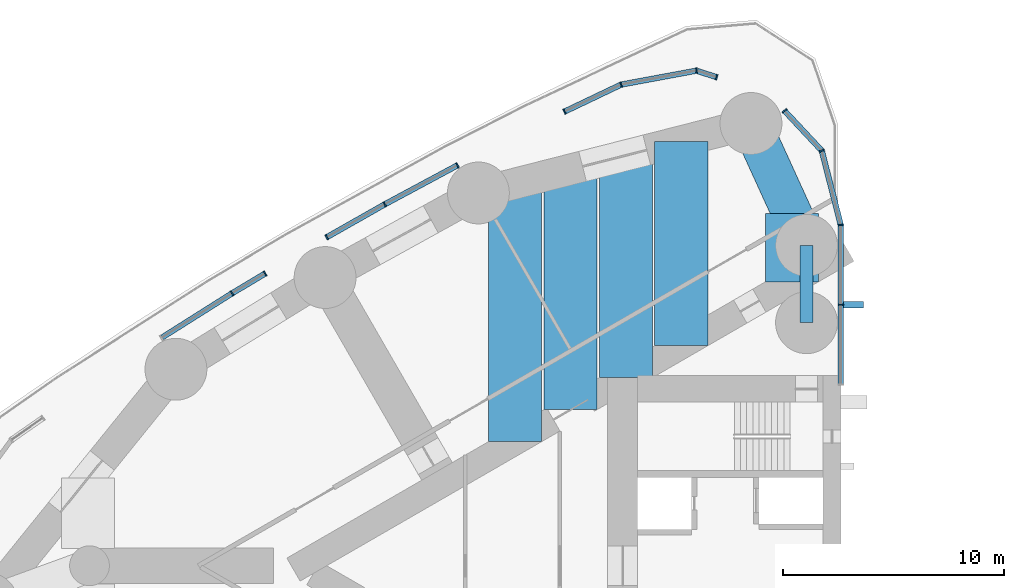
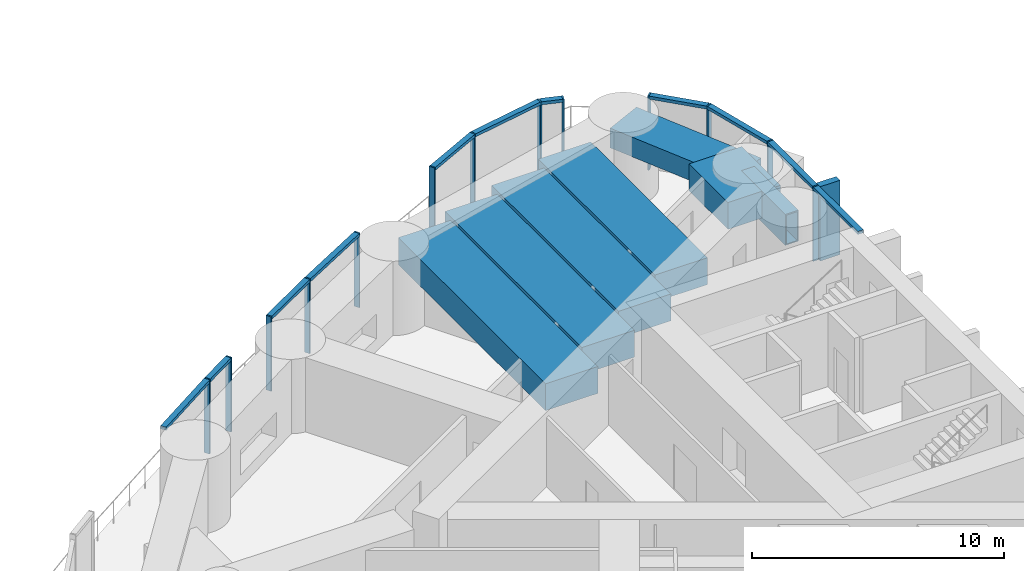
# One storey, part 5 of 17: 25 members, 7 beams, 4 elements without a shape of their own.
"""IFC4 building model written with IfcOpenShell, lengths in metres."""

from ifc_helpers import new_model, si_unit, direction, frame, origin, origin_2d, place, context, subcontext, project, spatial, rectangle, hollow_rectangle, extrude, material, material_profile, profile_set, type_object, element, aggregate, save


model = new_model("IFC4")

# Units and contexts
model_context = context("Model", 3, precision=1e-05, world=origin(), true_north=direction((0.0, 1.0)))
body_context = subcontext(model_context, "Body", "Model", "MODEL_VIEW")
ifc_project = project(units=[si_unit("LENGTHUNIT", "METRE"), si_unit("AREAUNIT", "SQUARE_METRE"), si_unit("VOLUMEUNIT", "CUBIC_METRE"), si_unit("PLANEANGLEUNIT", "RADIAN"), si_unit("MASSUNIT", "GRAM", prefix="KILO")], contexts=[model_context])

# Site, building, storey
site_placement = place(None, origin())
site = spatial("IfcSite", under=ifc_project, at=site_placement, CompositionType="ELEMENT")
building_placement = place(site_placement, origin())
building = spatial("IfcBuilding", under=site, at=building_placement, Name="Lancet Gate Hotel", CompositionType="ELEMENT")
storey_placement = place(building_placement, frame((0.0, 0.0, 152.699951171875)))
storey = spatial("IfcBuildingStorey", under=building, at=storey_placement, Name="L40", CompositionType="ELEMENT", Elevation=152.699951171875)

# Curtain wall, members
ifc_material_1 = material(Name="Aluminium curtain wall", Category="aluminium")
curtain_wall_type = type_object("IfcCurtainWallType", Name="Tower unitised curtain wall", PredefinedType="USERDEFINED", material=ifc_material_1)
curtain_wall_1_placement = place(storey_placement, origin())
curtain_wall_1 = element("IfcCurtainWall", 1, at=curtain_wall_1_placement, inside=storey, type_object=curtain_wall_type, Name="T1 L40 curtain wall 1", ObjectType="UNITISED CURTAIN WALL", PredefinedType="USERDEFINED")
ifc_material_2 = material(Name="Aluminium mullion", Category="aluminium")
ifc_material_profile_1 = material_profile(ifc_material_2, rectangle(XDim=0.06494140625, YDim=0.25, at=origin_2d()), Name="MULLION 65x250")
ifc_profile_set_1 = profile_set([ifc_material_profile_1], Name="Aluminium mullion")
member_type_1 = type_object("IfcMemberType", Name="Aluminium mullion 65x250", PredefinedType="MULLION", material=ifc_profile_set_1)
member_1_placement = place(storey_placement, frame((-27.5, 11.811767578125, 0.0), z_axis=(0.0, 0.0, 1.0), x_axis=(0.0, 1.0, 0.0)))
member_1 = element("IfcMember", 2, at=member_1_placement, type_object=member_type_1, Name="T1 L40 curtain wall 1 mullion 2", PredefinedType="MULLION", context=body_context, shape_type="SweptSolid", body=[
    extrude(rectangle(XDim=0.06494140625, YDim=0.25, at=origin_2d()), origin(), (0.0, 0.0, 1.0), 3.60009765625),
])
member_2_placement = place(storey_placement, frame((-27.5, 15.42333984375, 0.0), z_axis=(0.0, 0.0, 1.0), x_axis=(-0.122467472845, 0.992472527627, 0.0)))
member_2 = element("IfcMember", 3, at=member_2_placement, type_object=member_type_1, Name="T1 L40 curtain wall 1 mullion 3", PredefinedType="MULLION", context=body_context, shape_type="SweptSolid", body=[
    extrude(rectangle(XDim=0.06494140625, YDim=0.25, at=origin_2d()), origin(), (0.0, 0.0, 1.0), 3.60009765625),
])
member_3_placement = place(storey_placement, frame((-28.360595703125, 18.7861328125, 0.0), z_axis=(0.0, 0.0, 1.0), x_axis=(-0.442119345502, 0.896956233231, 0.0)))
member_3 = element("IfcMember", 4, at=member_3_placement, type_object=member_type_1, Name="T1 L40 curtain wall 1 mullion 4", PredefinedType="MULLION", context=body_context, shape_type="SweptSolid", body=[
    extrude(rectangle(XDim=0.06494140625, YDim=0.25, at=origin_2d()), origin(), (0.0, 0.0, 1.0), 3.60009765625),
])
member_4_placement = place(storey_placement, frame((-30.046630859375, 20.590087890625, 0.0), z_axis=(0.0, 0.0, 1.0), x_axis=(-0.682844962172, 0.730563315282, 0.0)))
member_4 = element("IfcMember", 5, at=member_4_placement, type_object=member_type_1, Name="T1 L40 curtain wall 1 mullion 5", PredefinedType="MULLION", context=body_context, shape_type="SweptSolid", body=[
    extrude(rectangle(XDim=0.06494140625, YDim=0.25, at=origin_2d()), origin(), (0.0, 0.0, 1.0), 3.60009765625),
])

curtain_wall_2_placement = place(storey_placement, origin())
curtain_wall_2 = element("IfcCurtainWall", 6, at=curtain_wall_2_placement, inside=storey, type_object=curtain_wall_type, Name="T1 L40 curtain wall 2", ObjectType="UNITISED CURTAIN WALL", PredefinedType="USERDEFINED")
member_5_placement = place(storey_placement, frame((-33.1220703125, 22.109130859375, 0.0), z_axis=(0.0, 0.0, 1.0), x_axis=(-0.949848055084, 0.312711803827, 0.0)))
member_5 = element("IfcMember", 7, at=member_5_placement, type_object=member_type_1, Name="T1 L40 curtain wall 2 mullion 1", PredefinedType="MULLION", context=body_context, shape_type="SweptSolid", body=[
    extrude(rectangle(XDim=0.06494140625, YDim=0.25, at=origin_2d()), origin(), (0.0, 0.0, 1.0), 3.60009765625),
])
member_6_placement = place(storey_placement, frame((-34.02783203125, 22.407470703125, 0.0), z_axis=(0.0, 0.0, 1.0), x_axis=(-0.997028673904, -0.077031314503, 0.0)))
member_6 = element("IfcMember", 8, at=member_6_placement, type_object=member_type_1, Name="T1 L40 curtain wall 2 mullion 2", PredefinedType="MULLION", context=body_context, shape_type="SweptSolid", body=[
    extrude(rectangle(XDim=0.06494140625, YDim=0.25, at=origin_2d()), origin(), (0.0, 0.0, 1.0), 3.60009765625),
])
member_7_placement = place(storey_placement, frame((-37.44091796875, 21.775634765625, 0.0), z_axis=(0.0, 0.0, 1.0), x_axis=(-0.955017768049, -0.296548584064, 0.0)))
member_7 = element("IfcMember", 9, at=member_7_placement, type_object=member_type_1, Name="T1 L40 curtain wall 2 mullion 3", PredefinedType="MULLION", context=body_context, shape_type="SweptSolid", body=[
    extrude(rectangle(XDim=0.06494140625, YDim=0.25, at=origin_2d()), origin(), (0.0, 0.0, 1.0), 3.60009765625),
])
member_8_placement = place(storey_placement, frame((-40.00634765625, 20.551025390625, 0.0), z_axis=(0.0, 0.0, 1.0), x_axis=(-0.902453530018, -0.430787216799, 0.0)))
member_8 = element("IfcMember", 10, at=member_8_placement, type_object=member_type_1, Name="T1 L40 curtain wall 2 mullion 4", PredefinedType="MULLION", context=body_context, shape_type="SweptSolid", body=[
    extrude(rectangle(XDim=0.06494140625, YDim=0.25, at=origin_2d()), origin(), (0.0, 0.0, 1.0), 3.60009765625),
])

curtain_wall_3_placement = place(storey_placement, origin())
curtain_wall_3 = element("IfcCurtainWall", 11, at=curtain_wall_3_placement, inside=storey, type_object=curtain_wall_type, Name="T1 L40 curtain wall 3", ObjectType="UNITISED CURTAIN WALL", PredefinedType="USERDEFINED")
member_9_placement = place(storey_placement, frame((-44.849609375, 18.12109375, 0.0), z_axis=(0.0, 0.0, 1.0), x_axis=(-0.881195096384, -0.472752791751, 0.0)))
member_9 = element("IfcMember", 12, at=member_9_placement, type_object=member_type_1, Name="T1 L40 curtain wall 3 mullion 1", PredefinedType="MULLION", context=body_context, shape_type="SweptSolid", body=[
    extrude(rectangle(XDim=0.06494140625, YDim=0.25, at=origin_2d()), origin(), (0.0, 0.0, 1.0), 3.60009765625),
])
member_10_placement = place(storey_placement, frame((-48.140869140625, 16.355224609375, 0.0), z_axis=(0.0, 0.0, 1.0), x_axis=(-0.87617871253, -0.481986372949, 0.0)))
member_10 = element("IfcMember", 13, at=member_10_placement, type_object=member_type_1, Name="T1 L40 curtain wall 3 mullion 2", PredefinedType="MULLION", context=body_context, shape_type="SweptSolid", body=[
    extrude(rectangle(XDim=0.06494140625, YDim=0.25, at=origin_2d()), origin(), (0.0, 0.0, 1.0), 3.60009765625),
])
member_11_placement = place(storey_placement, frame((-50.76416015625, 14.867431640625, 0.0), z_axis=(0.0, 0.0, 1.0), x_axis=(-0.869831477496, -0.493348964484, 0.0)))
member_11 = element("IfcMember", 14, at=member_11_placement, type_object=member_type_1, Name="T1 L40 curtain wall 3 mullion 3", PredefinedType="MULLION", context=body_context, shape_type="SweptSolid", body=[
    extrude(rectangle(XDim=0.06494140625, YDim=0.25, at=origin_2d()), origin(), (0.0, 0.0, 1.0), 3.60009765625),
])

curtain_wall_4_placement = place(storey_placement, origin())
curtain_wall_4 = element("IfcCurtainWall", 15, at=curtain_wall_4_placement, inside=storey, type_object=curtain_wall_type, Name="T1 L40 curtain wall 4", ObjectType="UNITISED CURTAIN WALL", PredefinedType="USERDEFINED")
member_12_placement = place(storey_placement, frame((-53.555419921875, 13.223388671875, 0.0), z_axis=(0.0, 0.0, 1.0), x_axis=(-0.857986551132, -0.51367215038, 0.0)))
member_12 = element("IfcMember", 16, at=member_12_placement, type_object=member_type_1, Name="T1 L40 curtain wall 4 mullion 1", PredefinedType="MULLION", context=body_context, shape_type="SweptSolid", body=[
    extrude(rectangle(XDim=0.06494140625, YDim=0.25, at=origin_2d()), origin(), (0.0, 0.0, 1.0), 3.60009765625),
])
member_13_placement = place(storey_placement, frame((-55.05029296875, 12.328369140625, 0.0), z_axis=(0.0, 0.0, 1.0), x_axis=(-0.849606396303, -0.527417264945, 0.0)))
member_13 = element("IfcMember", 17, at=member_13_placement, type_object=member_type_1, Name="T1 L40 curtain wall 4 mullion 2", PredefinedType="MULLION", context=body_context, shape_type="SweptSolid", body=[
    extrude(rectangle(XDim=0.06494140625, YDim=0.25, at=origin_2d()), origin(), (0.0, 0.0, 1.0), 3.60009765625),
])

# Member
ifc_material_3 = material(Name="Aluminium transom", Category="aluminium")
ifc_material_profile_2 = material_profile(ifc_material_3, rectangle(XDim=0.25, YDim=0.14990234375, at=origin_2d()), Name="TRANSOM 250x150")
ifc_profile_set_2 = profile_set([ifc_material_profile_2], Name="Aluminium transom")
member_type_2 = type_object("IfcMemberType", Name="Aluminium transom 250x150", PredefinedType="USERDEFINED", material=ifc_profile_set_2)
member_14_placement = place(storey_placement, frame((-27.5, 8.232421875, 3.525146484375), z_axis=(0.0, 1.0, 0.0), x_axis=(-1.0, 0.0, 0.0)))
member_14 = element("IfcMember", 18, at=member_14_placement, type_object=member_type_2, Name="T1 L40 curtain wall 1 transom 1", ObjectType="TRANSOM", PredefinedType="USERDEFINED", context=body_context, shape_type="SweptSolid", body=[
    extrude(rectangle(XDim=0.25, YDim=0.14990234375, at=origin_2d()), origin(), (0.0, 0.0, 1.0), 3.546875),
])

member_15_placement = place(storey_placement, frame((-27.5, 11.84423828125, 3.525146484375), z_axis=(0.0, 1.0, 0.0), x_axis=(-1.0, 0.0, 0.0)))
member_15 = element("IfcMember", 19, at=member_15_placement, type_object=member_type_2, Name="T1 L40 curtain wall 1 transom 2", ObjectType="TRANSOM", PredefinedType="USERDEFINED", context=body_context, shape_type="SweptSolid", body=[
    extrude(rectangle(XDim=0.25, YDim=0.14990234375, at=origin_2d()), origin(), (0.0, 0.0, 1.0), 3.546630859375),
])

member_16_placement = place(storey_placement, frame((-27.508056640625, 15.454833984375, 3.525146484375), z_axis=(-0.247928683912, 0.968778286139, 0.0), x_axis=(-0.968778286139, -0.247928683912, 0.0)))
member_16 = element("IfcMember", 20, at=member_16_placement, type_object=member_type_2, Name="T1 L40 curtain wall 1 transom 3", ObjectType="TRANSOM", PredefinedType="USERDEFINED", context=body_context, shape_type="SweptSolid", body=[
    extrude(rectangle(XDim=0.25, YDim=0.14990234375, at=origin_2d()), origin(), (0.0, 0.0, 1.0), 3.40625),
])

member_17_placement = place(storey_placement, frame((-28.3828125, 18.809814453125, 3.525146484375), z_axis=(-0.682839106594, 0.730568788346, 0.0), x_axis=(-0.730568788346, -0.682839106594, 0.0)))
member_17 = element("IfcMember", 21, at=member_17_placement, type_object=member_type_2, Name="T1 L40 curtain wall 1 transom 4", ObjectType="TRANSOM", PredefinedType="USERDEFINED", context=body_context, shape_type="SweptSolid", body=[
    extrude(rectangle(XDim=0.25, YDim=0.14990234375, at=origin_2d()), origin(), (0.0, 0.0, 1.0), 2.404052734375),
])

member_18_placement = place(storey_placement, frame((-33.153076171875, 22.119384765625, 3.525146484375), z_axis=(-0.949858160643, 0.312681106975, 0.0), x_axis=(-0.312681106975, -0.949858160643, 0.0)))
member_18 = element("IfcMember", 22, at=member_18_placement, type_object=member_type_2, Name="T1 L40 curtain wall 2 transom 1", ObjectType="TRANSOM", PredefinedType="USERDEFINED", context=body_context, shape_type="SweptSolid", body=[
    extrude(rectangle(XDim=0.25, YDim=0.14990234375, at=origin_2d()), origin(), (0.0, 0.0, 1.0), 0.888427734375),
])

member_19_placement = place(storey_placement, frame((-34.059814453125, 22.401611328125, 3.525146484375), z_axis=(-0.983286757871, -0.182063592724, 0.0), x_axis=(0.182063592724, -0.983286757871, 0.0)))
member_19 = element("IfcMember", 23, at=member_19_placement, type_object=member_type_2, Name="T1 L40 curtain wall 2 transom 2", ObjectType="TRANSOM", PredefinedType="USERDEFINED", context=body_context, shape_type="SweptSolid", body=[
    extrude(rectangle(XDim=0.25, YDim=0.14990234375, at=origin_2d()), origin(), (0.0, 0.0, 1.0), 3.406005859375),
])

member_20_placement = place(storey_placement, frame((-37.47021484375, 21.761474609375, 3.525146484375), z_axis=(-0.902452303334, -0.430789786563, 0.0), x_axis=(0.430789786563, -0.902452303334, 0.0)))
member_20 = element("IfcMember", 24, at=member_20_placement, type_object=member_type_2, Name="T1 L40 curtain wall 2 transom 3", ObjectType="TRANSOM", PredefinedType="USERDEFINED", context=body_context, shape_type="SweptSolid", body=[
    extrude(rectangle(XDim=0.25, YDim=0.14990234375, at=origin_2d()), origin(), (0.0, 0.0, 1.0), 2.777587890625),
])

aggregate(curtain_wall_2, [member_5, member_6, member_7, member_8, member_18, member_19, member_20])

member_21_placement = place(storey_placement, frame((-44.87841796875, 18.105712890625, 3.525146484375), z_axis=(-0.881177167367, -0.472786209307, 0.0), x_axis=(0.472786209307, -0.881177167367, 0.0)))
member_21 = element("IfcMember", 25, at=member_21_placement, type_object=member_type_2, Name="T1 L40 curtain wall 3 transom 1", ObjectType="TRANSOM", PredefinedType="USERDEFINED", context=body_context, shape_type="SweptSolid", body=[
    extrude(rectangle(XDim=0.25, YDim=0.14990234375, at=origin_2d()), origin(), (0.0, 0.0, 1.0), 3.669921875),
])

member_22_placement = place(storey_placement, frame((-48.169189453125, 16.33935546875, 3.525146484375), z_axis=(-0.869822193696, -0.493365332542, 0.0), x_axis=(0.493365332542, -0.869822193696, 0.0)))
member_22 = element("IfcMember", 26, at=member_22_placement, type_object=member_type_2, Name="T1 L40 curtain wall 3 transom 2", ObjectType="TRANSOM", PredefinedType="USERDEFINED", context=body_context, shape_type="SweptSolid", body=[
    extrude(rectangle(XDim=0.25, YDim=0.14990234375, at=origin_2d()), origin(), (0.0, 0.0, 1.0), 2.95068359375),
])

aggregate(curtain_wall_3, [member_9, member_10, member_11, member_21, member_22])

member_23_placement = place(storey_placement, frame((-53.583251953125, 13.206787109375, 3.525146484375), z_axis=(-0.857942051771, -0.513746470356, 0.0), x_axis=(0.513746470356, -0.857942051771, 0.0)))
member_23 = element("IfcMember", 27, at=member_23_placement, type_object=member_type_2, Name="T1 L40 curtain wall 4 transom 1", ObjectType="TRANSOM", PredefinedType="USERDEFINED", context=body_context, shape_type="SweptSolid", body=[
    extrude(rectangle(XDim=0.25, YDim=0.14990234375, at=origin_2d()), origin(), (0.0, 0.0, 1.0), 1.677490234375),
])

member_24_placement = place(storey_placement, frame((-55.077880859375, 12.31103515625, 3.525146484375), z_axis=(-0.845659168791, -0.533723308691, 0.0), x_axis=(0.533723308691, -0.845659168791, 0.0)))
member_24 = element("IfcMember", 28, at=member_24_placement, type_object=member_type_2, Name="T1 L40 curtain wall 4 transom 2", ObjectType="TRANSOM", PredefinedType="USERDEFINED", context=body_context, shape_type="SweptSolid", body=[
    extrude(rectangle(XDim=0.25, YDim=0.14990234375, at=origin_2d()), origin(), (0.0, 0.0, 1.0), 3.712890625),
])

aggregate(curtain_wall_4, [member_12, member_13, member_23, member_24])

# Beam
ifc_material_4 = material(Name="Concrete C50/60", Category="concrete")
ifc_material_profile_3 = material_profile(ifc_material_4, rectangle(XDim=1.800048828125, YDim=0.949951171875, at=origin_2d()), Name="RC 1800x950")
ifc_profile_set_3 = profile_set([ifc_material_profile_3], Name="Concrete C50/60")
beam_type_1 = type_object("IfcBeamType", Name="Edge beam RC 1800x950", PredefinedType="SPANDREL", material=ifc_profile_set_3)
beam_1_placement = place(storey_placement, frame((-31.5654296875, 20.015869140625, 2.875), z_axis=(0.414919206993, -0.909858259109, 0.0), x_axis=(0.909858259109, 0.414919206993, 0.0)))
element("IfcBeam", 29, at=beam_1_placement, inside=storey, type_object=beam_type_1, Name="T1 edge beam EB1 L40", PredefinedType="SPANDREL", context=body_context, shape_type="SweptSolid", body=[
    extrude(rectangle(XDim=1.800048828125, YDim=0.949951171875, at=origin_2d()), origin(), (0.0, 0.0, 1.0), 6.062255859375),
])

# Member
ifc_material_5 = material(Name="Precast concrete C50/60", Category="concrete")
ifc_material_profile_4 = material_profile(ifc_material_5, rectangle(XDim=0.300048828125, YDim=0.89990234375, at=origin_2d()), Name="FIN 300x900")
ifc_profile_set_4 = profile_set([ifc_material_profile_4], Name="Precast concrete C50/60")
member_type_3 = type_object("IfcMemberType", Name="Exposed concrete fin 300x900", PredefinedType="USERDEFINED", material=ifc_profile_set_4)
member_25_placement = place(storey_placement, frame((-26.925048828125, 11.811767578125, 0.0), z_axis=(0.0, 0.0, 1.0), x_axis=(0.0, 1.0, 0.0)))
member_25 = element("IfcMember", 30, at=member_25_placement, type_object=member_type_3, Name="T1 L40 curtain wall 1 fin 2", ObjectType="FIN", PredefinedType="USERDEFINED", context=body_context, shape_type="SweptSolid", body=[
    extrude(rectangle(XDim=0.300048828125, YDim=0.89990234375, at=origin_2d()), origin(), (0.0, 0.0, 1.0), 3.60009765625),
])

aggregate(curtain_wall_1, [member_1, member_25, member_2, member_3, member_4, member_14, member_15, member_16, member_17])

# Beams
ifc_material_6 = material(Name="Concrete C50/60", Category="concrete")
ifc_material_profile_5 = material_profile(ifc_material_6, rectangle(XDim=2.39990234375, YDim=1.300048828125, at=origin_2d()), Name="RC 2400x1300")
ifc_profile_set_5 = profile_set([ifc_material_profile_5], Name="Concrete C50/60")
beam_type_2 = type_object("IfcBeamType", Name="Floor beam RC 2400x1300", PredefinedType="BEAM", material=ifc_profile_set_5)
beam_2_placement = place(storey_placement, frame((-29.706787109375, 15.940185546875, 2.699951171875), z_axis=(0.0, -1.0, 0.0), x_axis=(1.0, 0.0, 0.0)))
element("IfcBeam", 31, at=beam_2_placement, inside=storey, type_object=beam_type_2, Name="T1 floor beam F01S L40", PredefinedType="BEAM", context=body_context, shape_type="SweptSolid", body=[
    extrude(rectangle(XDim=2.39990234375, YDim=1.300048828125, at=origin_2d()), origin(), (0.0, 0.0, 1.0), 3.087646484375),
])
beam_3_placement = place(storey_placement, frame((-34.720458984375, 19.211669921875, 2.699951171875), z_axis=(0.0, -1.0, 0.0), x_axis=(1.0, 0.0, 0.0)))
element("IfcBeam", 32, at=beam_3_placement, inside=storey, type_object=beam_type_2, Name="T1 floor beam F03S L40", PredefinedType="BEAM", context=body_context, shape_type="SweptSolid", body=[
    extrude(rectangle(XDim=2.39990234375, YDim=1.300048828125, at=origin_2d()), origin(), (0.0, 0.0, 1.0), 9.253662109375),
])
beam_4_placement = place(storey_placement, frame((-37.227294921875, 18.572509765625, 2.699951171875), z_axis=(0.0, -1.0, 0.0), x_axis=(1.0, 0.0, 0.0)))
element("IfcBeam", 33, at=beam_4_placement, inside=storey, type_object=beam_type_2, Name="T1 floor beam F04S L40", PredefinedType="BEAM", context=body_context, shape_type="SweptSolid", body=[
    extrude(rectangle(XDim=2.39990234375, YDim=1.300048828125, at=origin_2d()), origin(), (0.0, 0.0, 1.0), 10.061767578125),
])
beam_5_placement = place(storey_placement, frame((-39.734130859375, 17.93359375, 2.699951171875), z_axis=(0.0, -1.0, 0.0), x_axis=(1.0, 0.0, 0.0)))
element("IfcBeam", 34, at=beam_5_placement, inside=storey, type_object=beam_type_2, Name="T1 floor beam F06S L40", PredefinedType="BEAM", context=body_context, shape_type="SweptSolid", body=[
    extrude(rectangle(XDim=2.39990234375, YDim=1.300048828125, at=origin_2d()), origin(), (0.0, 0.0, 1.0), 10.8701171875),
])
beam_6_placement = place(storey_placement, frame((-42.240966796875, 17.29443359375, 2.699951171875), z_axis=(0.0, -1.0, 0.0), x_axis=(1.0, 0.0, 0.0)))
element("IfcBeam", 35, at=beam_6_placement, inside=storey, type_object=beam_type_2, Name="T1 floor beam F07S L40", PredefinedType="BEAM", context=body_context, shape_type="SweptSolid", body=[
    extrude(rectangle(XDim=2.39990234375, YDim=1.300048828125, at=origin_2d()), origin(), (0.0, 0.0, 1.0), 11.678466796875),
])
ifc_material_7 = material(Name="Steel S460QL", Category="steel")
ifc_material_profile_6 = material_profile(ifc_material_7, hollow_rectangle(XDim=0.60009765625, YDim=1.5, WallThickness=0.050048828125, at=origin_2d()), Name="BOX 1500x600x50")
ifc_profile_set_6 = profile_set([ifc_material_profile_6], Name="Steel S460QL")
beam_type_3 = type_object("IfcBeamType", Name="Inner-face link beam BOX 1500x600x50", PredefinedType="BEAM", material=ifc_profile_set_6)
beam_7_placement = place(storey_placement, frame((-29.050048828125, 14.5, 2.60009765625), z_axis=(0.0, -1.0, 0.0), x_axis=(1.0, 0.0, 0.0)))
element("IfcBeam", 36, at=beam_7_placement, inside=storey, type_object=beam_type_3, Name="T1 inner-face link beam LK1 L40", PredefinedType="BEAM", context=body_context, shape_type="SweptSolid", body=[
    extrude(hollow_rectangle(XDim=0.60009765625, YDim=1.5, WallThickness=0.050048828125, at=origin_2d()), origin(), (0.0, 0.0, 1.0), 3.5),
])

save(model, "model.ifc")
